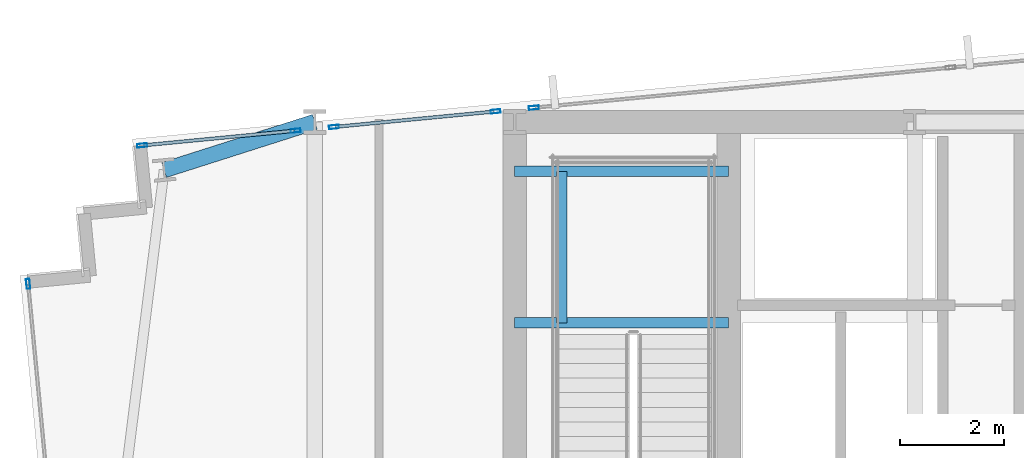
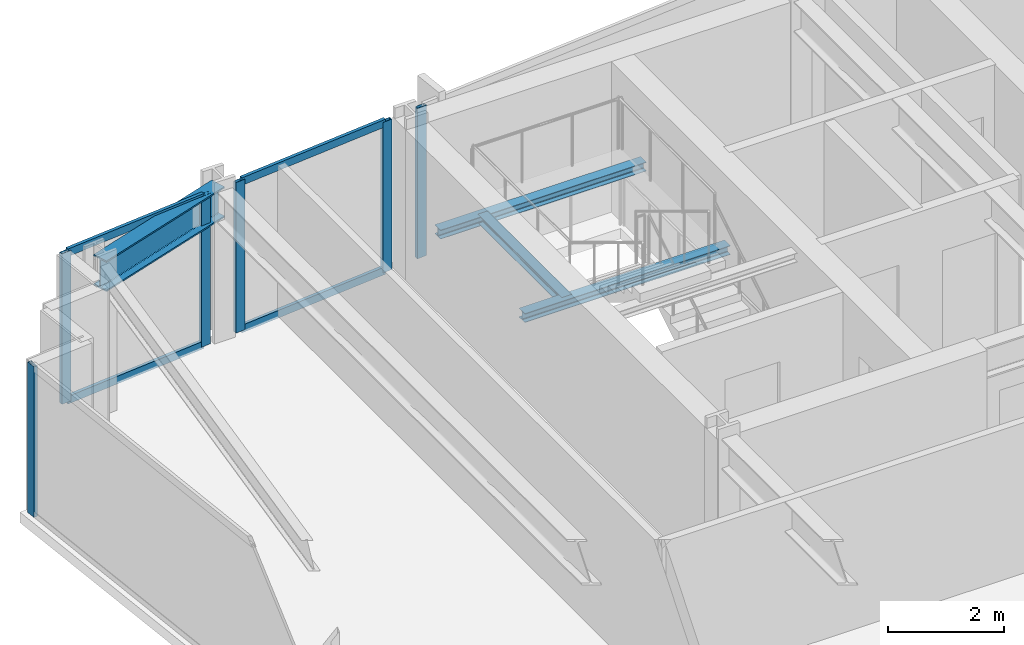
# One storey, part 17 of 32: 10 members, 4 beams, 4 elements without a shape of their own.
"""IFC4 building model written with IfcOpenShell, lengths in metres."""

from ifc_helpers import new_model, si_unit, direction, frame, origin, origin_2d, place, context, subcontext, project, spatial, hollow_rectangle, i_section, extrude, material, material_profile, profile_set, type_object, element, aggregate, save


model = new_model("IFC4")

# Units and contexts
model_context = context("Model", 3, precision=1e-05, world=origin(), true_north=direction((0.0, 1.0)))
body_context = subcontext(model_context, "Body", "Model", "MODEL_VIEW")
ifc_project = project(units=[si_unit("LENGTHUNIT", "METRE"), si_unit("AREAUNIT", "SQUARE_METRE"), si_unit("VOLUMEUNIT", "CUBIC_METRE"), si_unit("PLANEANGLEUNIT", "RADIAN"), si_unit("MASSUNIT", "GRAM", prefix="KILO")], contexts=[model_context])

# Site, building, storey
site_placement = place(None, origin())
site = spatial("IfcSite", under=ifc_project, at=site_placement, CompositionType="ELEMENT")
building_placement = place(site_placement, origin())
building = spatial("IfcBuilding", under=site, at=building_placement, Name="Yelkora Congress Tower", CompositionType="ELEMENT")
storey_placement = place(building_placement, frame((0.0, 0.0, 103.300048828125)))
storey = spatial("IfcBuildingStorey", under=building, at=storey_placement, Name="L27", CompositionType="ELEMENT", Elevation=103.300048828125)

# Beams
ifc_material_1 = material(Name="Steel S355J2", Category="steel")
ifc_material_profile_1 = material_profile(ifc_material_1, i_section(OverallWidth=0.300048828125, OverallDepth=0.64990234375, WebThickness=0.01611328125, FlangeThickness=0.031005859375, FilletRadius=0.027099609375, at=origin_2d()), Name="HEB 650")
ifc_profile_set_1 = profile_set([ifc_material_profile_1], Name="Steel S355J2")
beam_type_1 = type_object("IfcBeamType", Name="BM-GIRD-HEB650", PredefinedType="BEAM", material=ifc_profile_set_1)
beam_1_placement = place(storey_placement, frame((16.306884765625, 45.27734375, 2.85498046875), z_axis=(0.952727067409, 0.303827475759, 0.0), x_axis=(-0.303827475759, 0.952727067409, 0.0)))
element("IfcBeam", 1, at=beam_1_placement, inside=storey, type_object=beam_type_1, Name="L27 Primary Frame Girder N01", PredefinedType="BEAM", context=body_context, shape_type="SweptSolid", body=[
    extrude(i_section(OverallWidth=0.300048828125, OverallDepth=0.64990234375, WebThickness=0.01611328125, FlangeThickness=0.031005859375, FilletRadius=0.027099609375, at=origin_2d()), origin(), (0.0, 0.0, 1.0), 3.03662109375),
])
ifc_material_profile_2 = material_profile(ifc_material_1, i_section(OverallWidth=0.199951171875, OverallDepth=0.18994140625, WebThickness=0.006591796875, FlangeThickness=0.010009765625, FilletRadius=0.01806640625, at=origin_2d()), Name="HEA 200")
ifc_profile_set_2 = profile_set([ifc_material_profile_2], Name="Steel S355J2")
beam_type_2 = type_object("IfcBeamType", Name="BM-LAND-HEA200", PredefinedType="BEAM", material=ifc_profile_set_2)
for number, where, z_axis, x_axis, name in (
    (2, (23.0400390625, 42.340087890625, 1.384521484375), (1.0, 0.0, 0.0), (0.0, 1.0, 0.0), "ST-01 L27 Landing Header Beam 1S"),
    (3, (23.0400390625, 45.25, 1.384521484375), (1.0, 0.0, 0.0), (0.0, 1.0, 0.0), "ST-01 L27 Landing Header Beam 1N"),
):
    element("IfcBeam", number, at=place(storey_placement, frame(where, z_axis=z_axis, x_axis=x_axis)), inside=storey, type_object=beam_type_2, Name=name, PredefinedType="BEAM", context=body_context, shape_type="SweptSolid", body=[
        extrude(i_section(OverallWidth=0.199951171875, OverallDepth=0.18994140625, WebThickness=0.006591796875, FlangeThickness=0.010009765625, FilletRadius=0.01806640625, at=origin_2d()), origin(), (0.0, 0.0, 1.0), 4.10986328125),
    ])
beam_2_placement = place(storey_placement, frame((23.93994140625, 42.340087890625, 1.384521484375), z_axis=(0.0, 1.0, 0.0), x_axis=(-1.0, 0.0, 0.0)))
element("IfcBeam", 4, at=beam_2_placement, inside=storey, type_object=beam_type_2, Name="ST-01 L27 Landing Trimmer Beam 1M", PredefinedType="BEAM", context=body_context, shape_type="SweptSolid", body=[
    extrude(i_section(OverallWidth=0.199951171875, OverallDepth=0.18994140625, WebThickness=0.006591796875, FlangeThickness=0.010009765625, FilletRadius=0.01806640625, at=origin_2d()), origin(), (0.0, 0.0, 1.0), 2.909912109375),
])

# Curtain wall, member
ifc_material_2 = material(Name="Anodised aluminium and insulated glass", Category="aluminium")
curtain_wall_type = type_object("IfcCurtainWallType", Name="CW-SYS-B2", PredefinedType="NOTDEFINED", material=ifc_material_2)
curtain_wall_1_placement = place(storey_placement, origin())
curtain_wall_1 = element("IfcCurtainWall", 5, at=curtain_wall_1_placement, inside=storey, type_object=curtain_wall_type, Name="L27 Unitised Curtain Wall 5", PredefinedType="NOTDEFINED")
ifc_material_3 = material(Name="Anodised aluminium 6063-T6", Category="aluminium")
ifc_material_profile_3 = material_profile(ifc_material_3, hollow_rectangle(XDim=0.070068359375, YDim=0.18994140625, WallThickness=0.00390625, at=origin_2d()), Name="ALU 70x190x4")
ifc_profile_set_3 = profile_set([ifc_material_profile_3], Name="Anodised aluminium 6063-T6")
member_type_1 = type_object("IfcMemberType", Name="MEM-ML-B2", PredefinedType="MULLION", material=ifc_profile_set_3)
member_1_placement = place(storey_placement, frame((13.6943359375, 43.091796875, 0.0), z_axis=(0.0, 0.0, 1.0), x_axis=(-0.995396507508, -0.095842541913, 0.0)))
member_1 = element("IfcMember", 6, at=member_1_placement, type_object=member_type_1, Name="CW-B2 mullion 5", PredefinedType="MULLION", context=body_context, shape_type="SweptSolid", body=[
    extrude(hollow_rectangle(XDim=0.070068359375, YDim=0.18994140625, WallThickness=0.00390625, at=origin_2d()), origin(), (0.0, 0.0, 1.0), 3.179931640625),
])
aggregate(curtain_wall_1, [member_1])

# Curtain wall, members
curtain_wall_2_placement = place(storey_placement, origin())
curtain_wall_2 = element("IfcCurtainWall", 7, at=curtain_wall_2_placement, inside=storey, type_object=curtain_wall_type, Name="L27 Unitised Curtain Wall 10 (1)", PredefinedType="NOTDEFINED")
member_2_placement = place(storey_placement, frame((15.884521484375, 45.7490234375, 0.0), z_axis=(0.0, 0.0, 1.0), x_axis=(-0.095839346142, 0.99539681521, 0.0)))
member_2 = element("IfcMember", 8, at=member_2_placement, type_object=member_type_1, Name="CW-B2 mullion 1", PredefinedType="MULLION", context=body_context, shape_type="SweptSolid", body=[
    extrude(hollow_rectangle(XDim=0.070068359375, YDim=0.18994140625, WallThickness=0.00390625, at=origin_2d()), origin(), (0.0, 0.0, 1.0), 3.179931640625),
])
member_3_placement = place(storey_placement, frame((18.833251953125, 46.032958984375, 0.0), z_axis=(0.0, 0.0, 1.0), x_axis=(-0.095839346142, 0.99539681521, 0.0)))
member_3 = element("IfcMember", 9, at=member_3_placement, type_object=member_type_1, Name="CW-B2 mullion 2", PredefinedType="MULLION", context=body_context, shape_type="SweptSolid", body=[
    extrude(hollow_rectangle(XDim=0.070068359375, YDim=0.18994140625, WallThickness=0.00390625, at=origin_2d()), origin(), (0.0, 0.0, 1.0), 3.179931640625),
])

curtain_wall_3_placement = place(storey_placement, origin())
curtain_wall_3 = element("IfcCurtainWall", 10, at=curtain_wall_3_placement, inside=storey, type_object=curtain_wall_type, Name="L27 Unitised Curtain Wall 10 (2)", PredefinedType="NOTDEFINED")
member_4_placement = place(storey_placement, frame((19.56689453125, 46.103515625, 0.0), z_axis=(0.0, 0.0, 1.0), x_axis=(-0.095841399764, 0.99539661748, 0.0)))
member_4 = element("IfcMember", 11, at=member_4_placement, type_object=member_type_1, Name="CW-B2 mullion 1", PredefinedType="MULLION", context=body_context, shape_type="SweptSolid", body=[
    extrude(hollow_rectangle(XDim=0.070068359375, YDim=0.18994140625, WallThickness=0.00390625, at=origin_2d()), origin(), (0.0, 0.0, 1.0), 3.179931640625),
])
member_5_placement = place(storey_placement, frame((22.673095703125, 46.402587890625, 0.0), z_axis=(0.0, 0.0, 1.0), x_axis=(-0.095841399764, 0.99539661748, 0.0)))
member_5 = element("IfcMember", 12, at=member_5_placement, type_object=member_type_1, Name="CW-B2 mullion 2", PredefinedType="MULLION", context=body_context, shape_type="SweptSolid", body=[
    extrude(hollow_rectangle(XDim=0.070068359375, YDim=0.18994140625, WallThickness=0.00390625, at=origin_2d()), origin(), (0.0, 0.0, 1.0), 3.179931640625),
])

# Curtain wall, member
curtain_wall_4_placement = place(storey_placement, origin())
curtain_wall_4 = element("IfcCurtainWall", 13, at=curtain_wall_4_placement, inside=storey, type_object=curtain_wall_type, Name="L27 Unitised Curtain Wall 10 (3)", PredefinedType="NOTDEFINED")
member_6_placement = place(storey_placement, frame((23.40673828125, 46.473388671875, 0.0), z_axis=(0.0, 0.0, 1.0), x_axis=(-0.095844238468, 0.995396344153, 0.0)))
member_6 = element("IfcMember", 14, at=member_6_placement, type_object=member_type_1, Name="CW-B2 mullion 1", PredefinedType="MULLION", context=body_context, shape_type="SweptSolid", body=[
    extrude(hollow_rectangle(XDim=0.070068359375, YDim=0.18994140625, WallThickness=0.00390625, at=origin_2d()), origin(), (0.0, 0.0, 1.0), 3.179931640625),
])
aggregate(curtain_wall_4, [member_6])

# Member
ifc_material_profile_4 = material_profile(ifc_material_3, hollow_rectangle(XDim=0.06494140625, YDim=0.159912109375, WallThickness=0.00390625, at=origin_2d()), Name="ALU 65x160x4")
ifc_profile_set_4 = profile_set([ifc_material_profile_4], Name="Anodised aluminium 6063-T6")
member_type_2 = type_object("IfcMemberType", Name="MEM-TR-B2", PredefinedType="USERDEFINED", material=ifc_profile_set_4)
member_7_placement = place(storey_placement, frame((15.91943359375, 45.75244140625, 0.032470703125), z_axis=(0.995399744854, 0.095808913705, 0.0), x_axis=(-0.095808913705, 0.995399744854, 0.0)))
member_7 = element("IfcMember", 15, at=member_7_placement, type_object=member_type_2, Name="CW-B2 transom 1.1", ObjectType="TRANSOM", PredefinedType="USERDEFINED", context=body_context, shape_type="SweptSolid", body=[
    extrude(hollow_rectangle(XDim=0.06494140625, YDim=0.159912109375, WallThickness=0.00390625, at=origin_2d()), origin(), (0.0, 0.0, 1.0), 2.89208984375),
])

member_8_placement = place(storey_placement, frame((15.91943359375, 45.75244140625, 3.1474609375), z_axis=(0.995399744854, 0.095808913705, 0.0), x_axis=(-0.095808913705, 0.995399744854, 0.0)))
member_8 = element("IfcMember", 16, at=member_8_placement, type_object=member_type_2, Name="CW-B2 transom 1.2", ObjectType="TRANSOM", PredefinedType="USERDEFINED", context=body_context, shape_type="SweptSolid", body=[
    extrude(hollow_rectangle(XDim=0.06494140625, YDim=0.159912109375, WallThickness=0.00390625, at=origin_2d()), origin(), (0.0, 0.0, 1.0), 2.89208984375),
])

aggregate(curtain_wall_2, [member_2, member_3, member_7, member_8])

member_9_placement = place(storey_placement, frame((19.6015625, 46.10693359375, 0.032470703125), z_axis=(0.995401842144, 0.095787121557, 0.0), x_axis=(-0.095787121557, 0.995401842144, 0.0)))
member_9 = element("IfcMember", 17, at=member_9_placement, type_object=member_type_2, Name="CW-B2 transom 1.1", ObjectType="TRANSOM", PredefinedType="USERDEFINED", context=body_context, shape_type="SweptSolid", body=[
    extrude(hollow_rectangle(XDim=0.06494140625, YDim=0.159912109375, WallThickness=0.00390625, at=origin_2d()), origin(), (0.0, 0.0, 1.0), 3.05078125),
])

member_10_placement = place(storey_placement, frame((19.6015625, 46.10693359375, 3.1474609375), z_axis=(0.995401842144, 0.095787121557, 0.0), x_axis=(-0.095787121557, 0.995401842144, 0.0)))
member_10 = element("IfcMember", 18, at=member_10_placement, type_object=member_type_2, Name="CW-B2 transom 1.2", ObjectType="TRANSOM", PredefinedType="USERDEFINED", context=body_context, shape_type="SweptSolid", body=[
    extrude(hollow_rectangle(XDim=0.06494140625, YDim=0.159912109375, WallThickness=0.00390625, at=origin_2d()), origin(), (0.0, 0.0, 1.0), 3.05078125),
])

aggregate(curtain_wall_3, [member_4, member_5, member_9, member_10])

save(model, "model.ifc")
